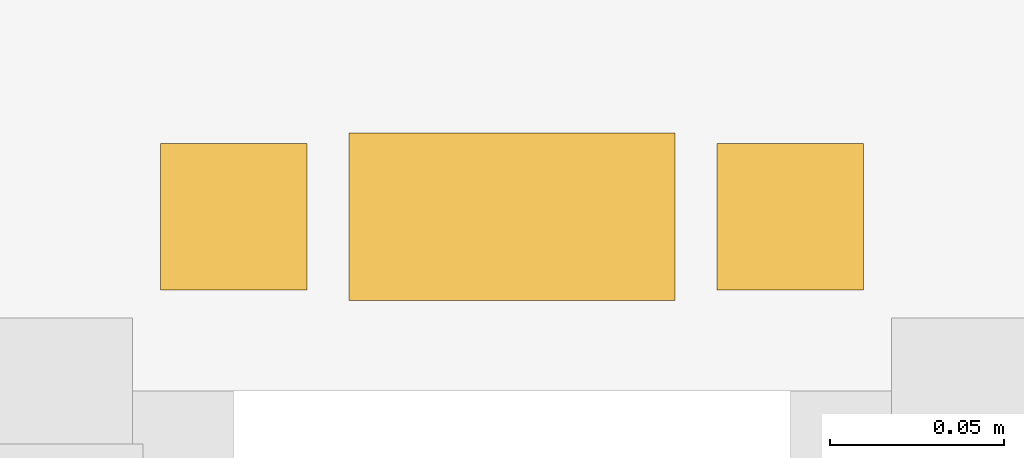
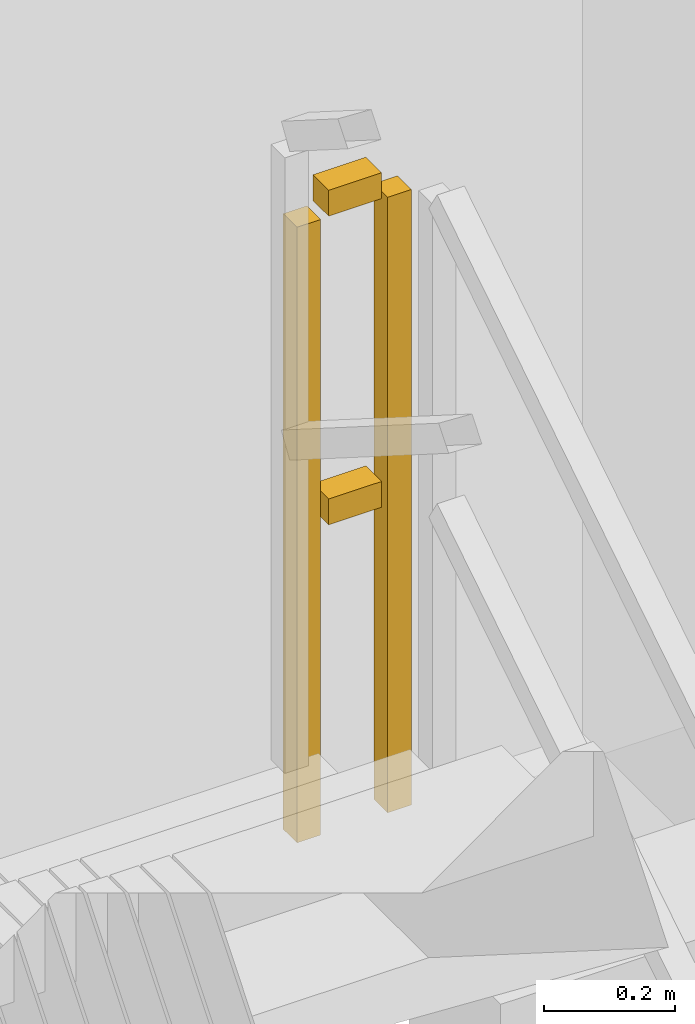
# One storey, part 13 of 13: 1 railing.
"""IFC4 building model written with IfcOpenShell, lengths in metres."""

from ifc_helpers import new_model, si_unit, direction, frame, origin, origin_2d, place, context, subcontext, project, spatial, rectangle, extrude, material, type_object, element, save


model = new_model("IFC4")

# Units and contexts
model_context = context("Model", 3, precision=1e-05, world=origin(), true_north=direction((0.0, 1.0)))
body_context = subcontext(model_context, "Body", "Model", "MODEL_VIEW")
ifc_project = project(units=[si_unit("LENGTHUNIT", "METRE"), si_unit("AREAUNIT", "SQUARE_METRE"), si_unit("VOLUMEUNIT", "CUBIC_METRE"), si_unit("PLANEANGLEUNIT", "RADIAN"), si_unit("MASSUNIT", "GRAM", prefix="KILO")], contexts=[model_context])

# Site, building, storey
site_placement = place(None, origin())
site = spatial("IfcSite", under=ifc_project, at=site_placement, CompositionType="ELEMENT")
building_placement = place(site_placement, origin())
building = spatial("IfcBuilding", under=site, at=building_placement, Name="Saelheon Loggia Tower", CompositionType="ELEMENT")
storey_placement = place(building_placement, frame((0.0, 0.0, 122.85009765625)))
storey = spatial("IfcBuildingStorey", under=building, at=storey_placement, Name="L39", CompositionType="ELEMENT", Elevation=122.85009765625)

# Railing
ifc_material = material(Name="Galvanised Steel S275 Stairwell Guardrail", Category="steel")
railing_type = type_object("IfcRailingType", Name="Guard_StairWell_RL_STG", PredefinedType="GUARDRAIL", material=ifc_material)
railing_placement = place(storey_placement, frame((42.489990234375, 33.300048828125, 1.949951171875)))
element("IfcRailing", 1, at=railing_placement, inside=storey, type_object=railing_type, Name="L39 ST2 stair guard 2", PredefinedType="GUARDRAIL", context=body_context, shape_type="SweptSolid", body=[
    extrude(rectangle(XDim=0.048095703125, YDim=0.048095703125, at=origin_2d()), frame((-0.033203125, 0.0, 1.17578125), z_axis=(-1.0, 0.0, 0.0), x_axis=(0.0, -1.0, 0.0)), (0.0, 0.0, 1.0), 0.093505859375),
    extrude(rectangle(XDim=0.048095703125, YDim=0.048095703125, at=origin_2d()), frame((-0.033203125, 0.0, 0.60009765625), z_axis=(-1.0, 0.0, 0.0), x_axis=(0.0, -1.0, 0.0)), (0.0, 0.0, 1.0), 0.093505859375),
    extrude(rectangle(XDim=0.0419921875, YDim=0.0419921875, at=origin_2d()), origin(), (0.0, 0.0, 1.0), 1.14794921875),
    extrude(rectangle(XDim=0.0419921875, YDim=0.0419921875, at=origin_2d()), frame((-0.159912109375, 0.0, 0.0)), (0.0, 0.0, 1.0), 1.14794921875),
])

save(model, "model.ifc")
